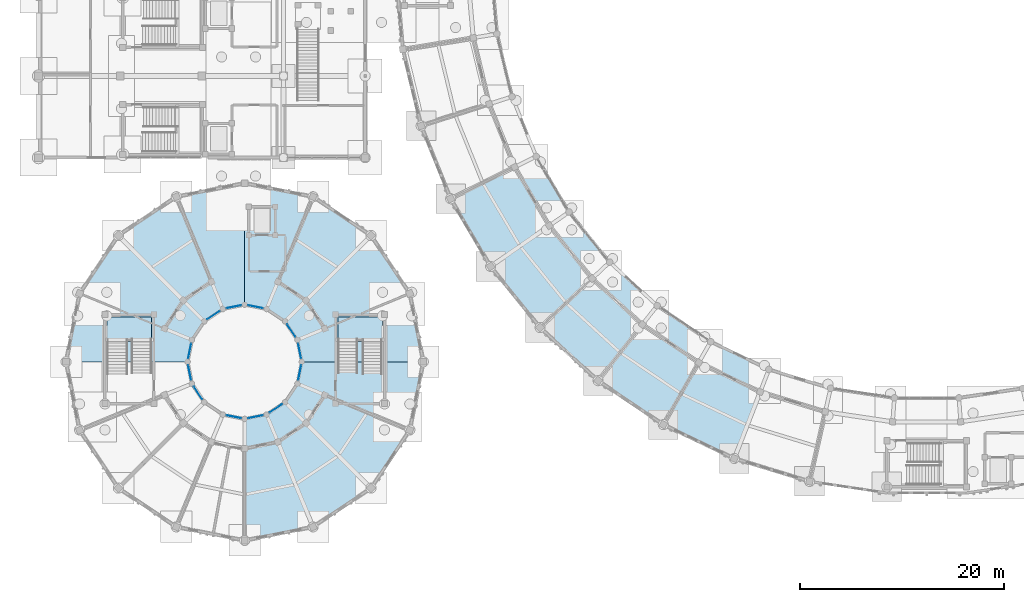
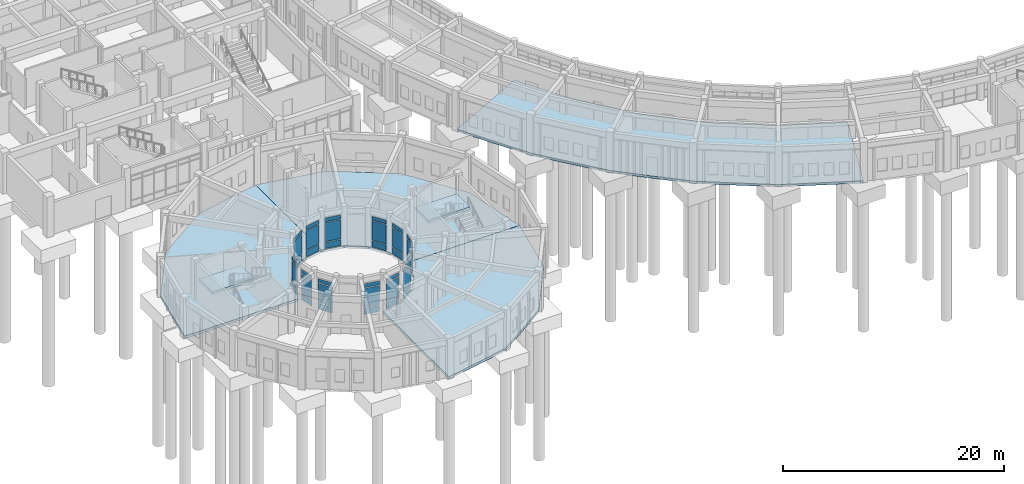
# One storey, part 102 of 153: 36 plates, 6 slabs, 14 elements without a shape of their own.
"""IFC4 building model written with IfcOpenShell, lengths in metres."""

from ifc_helpers import new_model, si_unit, direction, frame, origin, origin_2d, place, context, subcontext, project, spatial, polyline, rectangle, outline, extrude, material, layer, layer_set, type_object, element, aggregate, save


model = new_model("IFC4")

# Units and contexts
model_context = context("Model", 3, precision=1e-05, world=origin(), true_north=direction((0.0, 1.0)))
body_context = subcontext(model_context, "Body", "Model", "MODEL_VIEW")
ifc_project = project(units=[si_unit("LENGTHUNIT", "METRE"), si_unit("AREAUNIT", "SQUARE_METRE"), si_unit("VOLUMEUNIT", "CUBIC_METRE"), si_unit("PLANEANGLEUNIT", "RADIAN"), si_unit("MASSUNIT", "GRAM", prefix="KILO")], contexts=[model_context])

# Site, building, storey
site_placement = place(None, origin())
site = spatial("IfcSite", under=ifc_project, at=site_placement, CompositionType="ELEMENT")
building_placement = place(site_placement, origin())
building = spatial("IfcBuilding", under=site, at=building_placement, Name="Celadon Cloister-Ring School", CompositionType="ELEMENT")
storey_placement = place(building_placement, origin())
storey = spatial("IfcBuildingStorey", under=building, at=storey_placement, Name="L00", CompositionType="ELEMENT", Elevation=0.0)

# Curtain wall, plates
ifc_material_1 = material(Name="Aluminium EN AW-6063 T6", Category="aluminium")
curtain_wall_type = type_object("IfcCurtainWallType", Name="CW-03", PredefinedType="USERDEFINED", material=ifc_material_1)
curtain_wall_1_placement = place(storey_placement, origin())
curtain_wall_1 = element("IfcCurtainWall", 1, at=curtain_wall_1_placement, inside=storey, type_object=curtain_wall_type, Name="Curtain Wall 0127", ObjectType="CURTAIN WALL", PredefinedType="USERDEFINED")
ifc_material_2 = material(Name="Tempered laminated insulating glass", Category="glass")
ifc_layer_1 = layer(ifc_material_2, 0.02001953125)
ifc_layer_set_1 = layer_set([ifc_layer_1], Name="Tempered laminated insulating glass")
plate_type = type_object("IfcPlateType", Name="CPN-01", PredefinedType="CURTAIN_PANEL", material=ifc_layer_set_1)
plate_1_placement = place(storey_placement, frame((25.5869140625, 21.071533203125, 0.090087890625), z_axis=(0.0, 0.0, 1.0), x_axis=(-0.194586131301, 0.980885435464, 0.0)))
plate_1 = element("IfcPlate", 2, at=plate_1_placement, type_object=plate_type, Name="CW-03 panel 1.1", PredefinedType="CURTAIN_PANEL", context=body_context, shape_type="SweptSolid", body=[
    extrude(rectangle(XDim=1.4443359375, YDim=0.02001953125, at=origin_2d()), origin(), (0.0, 0.0, 1.0), 0.6650390625),
])
plate_2_placement = place(storey_placement, frame((25.5869140625, 21.071533203125, 0.8447265625), z_axis=(0.0, 0.0, 1.0), x_axis=(-0.194586131301, 0.980885435464, 0.0)))
plate_2 = element("IfcPlate", 3, at=plate_2_placement, type_object=plate_type, Name="CW-03 panel 1.2", PredefinedType="CURTAIN_PANEL", context=body_context, shape_type="SweptSolid", body=[
    extrude(rectangle(XDim=1.4443359375, YDim=0.02001953125, at=origin_2d()), origin(), (0.0, 0.0, 1.0), 2.110107421875),
])
plate_3_placement = place(storey_placement, frame((25.5869140625, 21.071533203125, 3.044921875), z_axis=(0.0, 0.0, 1.0), x_axis=(-0.194586131301, 0.980885435464, 0.0)))
plate_3 = element("IfcPlate", 4, at=plate_3_placement, type_object=plate_type, Name="CW-03 panel 1.3", PredefinedType="CURTAIN_PANEL", context=body_context, shape_type="SweptSolid", body=[
    extrude(rectangle(XDim=1.4443359375, YDim=0.02001953125, at=origin_2d()), origin(), (0.0, 0.0, 1.0), 0.4150390625),
])
aggregate(curtain_wall_1, [plate_1, plate_2, plate_3])

curtain_wall_2_placement = place(storey_placement, origin())
curtain_wall_2 = element("IfcCurtainWall", 5, at=curtain_wall_2_placement, inside=storey, type_object=curtain_wall_type, Name="Curtain Wall 0128", ObjectType="CURTAIN WALL", PredefinedType="USERDEFINED")
plate_4_placement = place(storey_placement, frame((24.76708984375, 23.051513671875, 0.090087890625), z_axis=(0.0, 0.0, 1.0), x_axis=(-0.555547066224, 0.831485091394, 0.0)))
plate_4 = element("IfcPlate", 6, at=plate_4_placement, type_object=plate_type, Name="CW-03 panel 1.1", PredefinedType="CURTAIN_PANEL", context=body_context, shape_type="SweptSolid", body=[
    extrude(rectangle(XDim=1.4443359375, YDim=0.02001953125, at=origin_2d()), origin(), (0.0, 0.0, 1.0), 0.6650390625),
])
plate_5_placement = place(storey_placement, frame((24.76708984375, 23.051513671875, 0.8447265625), z_axis=(0.0, 0.0, 1.0), x_axis=(-0.555547066224, 0.831485091394, 0.0)))
plate_5 = element("IfcPlate", 7, at=plate_5_placement, type_object=plate_type, Name="CW-03 panel 1.2", PredefinedType="CURTAIN_PANEL", context=body_context, shape_type="SweptSolid", body=[
    extrude(rectangle(XDim=1.4443359375, YDim=0.02001953125, at=origin_2d()), origin(), (0.0, 0.0, 1.0), 2.110107421875),
])
plate_6_placement = place(storey_placement, frame((24.76708984375, 23.051513671875, 3.044921875), z_axis=(0.0, 0.0, 1.0), x_axis=(-0.555547066224, 0.831485091394, 0.0)))
plate_6 = element("IfcPlate", 8, at=plate_6_placement, type_object=plate_type, Name="CW-03 panel 1.3", PredefinedType="CURTAIN_PANEL", context=body_context, shape_type="SweptSolid", body=[
    extrude(rectangle(XDim=1.4443359375, YDim=0.02001953125, at=origin_2d()), origin(), (0.0, 0.0, 1.0), 0.4150390625),
])
aggregate(curtain_wall_2, [plate_4, plate_5, plate_6])

curtain_wall_3_placement = place(storey_placement, origin())
curtain_wall_3 = element("IfcCurtainWall", 9, at=curtain_wall_3_placement, inside=storey, type_object=curtain_wall_type, Name="Curtain Wall 0129", ObjectType="CURTAIN WALL", PredefinedType="USERDEFINED")
plate_7_placement = place(storey_placement, frame((21.271484375, 25.386962890625, 0.090087890625), z_axis=(0.0, 0.0, 1.0), x_axis=(-0.980885435464, 0.194586131301, 0.0)))
plate_7 = element("IfcPlate", 10, at=plate_7_placement, type_object=plate_type, Name="CW-03 panel 1.1", PredefinedType="CURTAIN_PANEL", context=body_context, shape_type="SweptSolid", body=[
    extrude(rectangle(XDim=1.4443359375, YDim=0.02001953125, at=origin_2d()), origin(), (0.0, 0.0, 1.0), 0.6650390625),
])
plate_8_placement = place(storey_placement, frame((21.271484375, 25.386962890625, 0.8447265625), z_axis=(0.0, 0.0, 1.0), x_axis=(-0.980885435464, 0.194586131301, 0.0)))
plate_8 = element("IfcPlate", 11, at=plate_8_placement, type_object=plate_type, Name="CW-03 panel 1.2", PredefinedType="CURTAIN_PANEL", context=body_context, shape_type="SweptSolid", body=[
    extrude(rectangle(XDim=1.4443359375, YDim=0.02001953125, at=origin_2d()), origin(), (0.0, 0.0, 1.0), 2.110107421875),
])
plate_9_placement = place(storey_placement, frame((21.271484375, 25.386962890625, 3.044921875), z_axis=(0.0, 0.0, 1.0), x_axis=(-0.980885435464, 0.194586131301, 0.0)))
plate_9 = element("IfcPlate", 12, at=plate_9_placement, type_object=plate_type, Name="CW-03 panel 1.3", PredefinedType="CURTAIN_PANEL", context=body_context, shape_type="SweptSolid", body=[
    extrude(rectangle(XDim=1.4443359375, YDim=0.02001953125, at=origin_2d()), origin(), (0.0, 0.0, 1.0), 0.4150390625),
])
aggregate(curtain_wall_3, [plate_7, plate_8, plate_9])

curtain_wall_4_placement = place(storey_placement, origin())
curtain_wall_4 = element("IfcCurtainWall", 13, at=curtain_wall_4_placement, inside=storey, type_object=curtain_wall_type, Name="Curtain Wall 0130", ObjectType="CURTAIN WALL", PredefinedType="USERDEFINED")
plate_10_placement = place(storey_placement, frame((19.12841796875, 25.386962890625, 0.090087890625), z_axis=(0.0, 0.0, 1.0), x_axis=(-0.980885435464, -0.194586131301, 0.0)))
plate_10 = element("IfcPlate", 14, at=plate_10_placement, type_object=plate_type, Name="CW-03 panel 1.1", PredefinedType="CURTAIN_PANEL", context=body_context, shape_type="SweptSolid", body=[
    extrude(rectangle(XDim=1.4443359375, YDim=0.02001953125, at=origin_2d()), origin(), (0.0, 0.0, 1.0), 0.6650390625),
])
plate_11_placement = place(storey_placement, frame((19.12841796875, 25.386962890625, 0.8447265625), z_axis=(0.0, 0.0, 1.0), x_axis=(-0.980885435464, -0.194586131301, 0.0)))
plate_11 = element("IfcPlate", 15, at=plate_11_placement, type_object=plate_type, Name="CW-03 panel 1.2", PredefinedType="CURTAIN_PANEL", context=body_context, shape_type="SweptSolid", body=[
    extrude(rectangle(XDim=1.4443359375, YDim=0.02001953125, at=origin_2d()), origin(), (0.0, 0.0, 1.0), 2.110107421875),
])
plate_12_placement = place(storey_placement, frame((19.12841796875, 25.386962890625, 3.044921875), z_axis=(0.0, 0.0, 1.0), x_axis=(-0.980885435464, -0.194586131301, 0.0)))
plate_12 = element("IfcPlate", 16, at=plate_12_placement, type_object=plate_type, Name="CW-03 panel 1.3", PredefinedType="CURTAIN_PANEL", context=body_context, shape_type="SweptSolid", body=[
    extrude(rectangle(XDim=1.4443359375, YDim=0.02001953125, at=origin_2d()), origin(), (0.0, 0.0, 1.0), 0.4150390625),
])
aggregate(curtain_wall_4, [plate_10, plate_11, plate_12])

curtain_wall_5_placement = place(storey_placement, origin())
curtain_wall_5 = element("IfcCurtainWall", 17, at=curtain_wall_5_placement, inside=storey, type_object=curtain_wall_type, Name="Curtain Wall 0131", ObjectType="CURTAIN WALL", PredefinedType="USERDEFINED")
plate_13_placement = place(storey_placement, frame((17.1484375, 24.56689453125, 0.090087890625), z_axis=(0.0, 0.0, 1.0), x_axis=(-0.831485091394, -0.555547066224, 0.0)))
plate_13 = element("IfcPlate", 18, at=plate_13_placement, type_object=plate_type, Name="CW-03 panel 1.1", PredefinedType="CURTAIN_PANEL", context=body_context, shape_type="SweptSolid", body=[
    extrude(rectangle(XDim=1.4443359375, YDim=0.02001953125, at=origin_2d()), origin(), (0.0, 0.0, 1.0), 0.6650390625),
])
plate_14_placement = place(storey_placement, frame((17.1484375, 24.56689453125, 0.8447265625), z_axis=(0.0, 0.0, 1.0), x_axis=(-0.831485091394, -0.555547066224, 0.0)))
plate_14 = element("IfcPlate", 19, at=plate_14_placement, type_object=plate_type, Name="CW-03 panel 1.2", PredefinedType="CURTAIN_PANEL", context=body_context, shape_type="SweptSolid", body=[
    extrude(rectangle(XDim=1.4443359375, YDim=0.02001953125, at=origin_2d()), origin(), (0.0, 0.0, 1.0), 2.110107421875),
])
plate_15_placement = place(storey_placement, frame((17.1484375, 24.56689453125, 3.044921875), z_axis=(0.0, 0.0, 1.0), x_axis=(-0.831485091394, -0.555547066224, 0.0)))
plate_15 = element("IfcPlate", 20, at=plate_15_placement, type_object=plate_type, Name="CW-03 panel 1.3", PredefinedType="CURTAIN_PANEL", context=body_context, shape_type="SweptSolid", body=[
    extrude(rectangle(XDim=1.4443359375, YDim=0.02001953125, at=origin_2d()), origin(), (0.0, 0.0, 1.0), 0.4150390625),
])
aggregate(curtain_wall_5, [plate_13, plate_14, plate_15])

curtain_wall_6_placement = place(storey_placement, origin())
curtain_wall_6 = element("IfcCurtainWall", 21, at=curtain_wall_6_placement, inside=storey, type_object=curtain_wall_type, Name="Curtain Wall 0132", ObjectType="CURTAIN WALL", PredefinedType="USERDEFINED")
plate_16_placement = place(storey_placement, frame((14.81298828125, 21.071533203125, 0.090087890625), z_axis=(0.0, 0.0, 1.0), x_axis=(-0.194586131301, -0.980885435464, 0.0)))
plate_16 = element("IfcPlate", 22, at=plate_16_placement, type_object=plate_type, Name="CW-03 panel 1.1", PredefinedType="CURTAIN_PANEL", context=body_context, shape_type="SweptSolid", body=[
    extrude(rectangle(XDim=1.4443359375, YDim=0.02001953125, at=origin_2d()), origin(), (0.0, 0.0, 1.0), 0.6650390625),
])
plate_17_placement = place(storey_placement, frame((14.81298828125, 21.071533203125, 0.8447265625), z_axis=(0.0, 0.0, 1.0), x_axis=(-0.194586131301, -0.980885435464, 0.0)))
plate_17 = element("IfcPlate", 23, at=plate_17_placement, type_object=plate_type, Name="CW-03 panel 1.2", PredefinedType="CURTAIN_PANEL", context=body_context, shape_type="SweptSolid", body=[
    extrude(rectangle(XDim=1.4443359375, YDim=0.02001953125, at=origin_2d()), origin(), (0.0, 0.0, 1.0), 2.110107421875),
])
plate_18_placement = place(storey_placement, frame((14.81298828125, 21.071533203125, 3.044921875), z_axis=(0.0, 0.0, 1.0), x_axis=(-0.194586131301, -0.980885435464, 0.0)))
plate_18 = element("IfcPlate", 24, at=plate_18_placement, type_object=plate_type, Name="CW-03 panel 1.3", PredefinedType="CURTAIN_PANEL", context=body_context, shape_type="SweptSolid", body=[
    extrude(rectangle(XDim=1.4443359375, YDim=0.02001953125, at=origin_2d()), origin(), (0.0, 0.0, 1.0), 0.4150390625),
])
aggregate(curtain_wall_6, [plate_16, plate_17, plate_18])

curtain_wall_7_placement = place(storey_placement, origin())
curtain_wall_7 = element("IfcCurtainWall", 25, at=curtain_wall_7_placement, inside=storey, type_object=curtain_wall_type, Name="Curtain Wall 0133", ObjectType="CURTAIN WALL", PredefinedType="USERDEFINED")
plate_19_placement = place(storey_placement, frame((14.81298828125, 18.928466796875, 0.090087890625), z_axis=(0.0, 0.0, 1.0), x_axis=(0.194586131301, -0.980885435464, 0.0)))
plate_19 = element("IfcPlate", 26, at=plate_19_placement, type_object=plate_type, Name="CW-03 panel 1.1", PredefinedType="CURTAIN_PANEL", context=body_context, shape_type="SweptSolid", body=[
    extrude(rectangle(XDim=1.4443359375, YDim=0.02001953125, at=origin_2d()), origin(), (0.0, 0.0, 1.0), 0.6650390625),
])
plate_20_placement = place(storey_placement, frame((14.81298828125, 18.928466796875, 0.8447265625), z_axis=(0.0, 0.0, 1.0), x_axis=(0.194586131301, -0.980885435464, 0.0)))
plate_20 = element("IfcPlate", 27, at=plate_20_placement, type_object=plate_type, Name="CW-03 panel 1.2", PredefinedType="CURTAIN_PANEL", context=body_context, shape_type="SweptSolid", body=[
    extrude(rectangle(XDim=1.4443359375, YDim=0.02001953125, at=origin_2d()), origin(), (0.0, 0.0, 1.0), 2.110107421875),
])
plate_21_placement = place(storey_placement, frame((14.81298828125, 18.928466796875, 3.044921875), z_axis=(0.0, 0.0, 1.0), x_axis=(0.194586131301, -0.980885435464, 0.0)))
plate_21 = element("IfcPlate", 28, at=plate_21_placement, type_object=plate_type, Name="CW-03 panel 1.3", PredefinedType="CURTAIN_PANEL", context=body_context, shape_type="SweptSolid", body=[
    extrude(rectangle(XDim=1.4443359375, YDim=0.02001953125, at=origin_2d()), origin(), (0.0, 0.0, 1.0), 0.4150390625),
])
aggregate(curtain_wall_7, [plate_19, plate_20, plate_21])

curtain_wall_8_placement = place(storey_placement, origin())
curtain_wall_8 = element("IfcCurtainWall", 29, at=curtain_wall_8_placement, inside=storey, type_object=curtain_wall_type, Name="Curtain Wall 0134", ObjectType="CURTAIN WALL", PredefinedType="USERDEFINED")
plate_22_placement = place(storey_placement, frame((15.633056640625, 16.948486328125, 0.090087890625), z_axis=(0.0, 0.0, 1.0), x_axis=(0.555547066224, -0.831485091394, 0.0)))
plate_22 = element("IfcPlate", 30, at=plate_22_placement, type_object=plate_type, Name="CW-03 panel 1.1", PredefinedType="CURTAIN_PANEL", context=body_context, shape_type="SweptSolid", body=[
    extrude(rectangle(XDim=1.4443359375, YDim=0.02001953125, at=origin_2d()), origin(), (0.0, 0.0, 1.0), 0.6650390625),
])
plate_23_placement = place(storey_placement, frame((15.633056640625, 16.948486328125, 0.8447265625), z_axis=(0.0, 0.0, 1.0), x_axis=(0.555547066224, -0.831485091394, 0.0)))
plate_23 = element("IfcPlate", 31, at=plate_23_placement, type_object=plate_type, Name="CW-03 panel 1.2", PredefinedType="CURTAIN_PANEL", context=body_context, shape_type="SweptSolid", body=[
    extrude(rectangle(XDim=1.4443359375, YDim=0.02001953125, at=origin_2d()), origin(), (0.0, 0.0, 1.0), 2.110107421875),
])
plate_24_placement = place(storey_placement, frame((15.633056640625, 16.948486328125, 3.044921875), z_axis=(0.0, 0.0, 1.0), x_axis=(0.555547066224, -0.831485091394, 0.0)))
plate_24 = element("IfcPlate", 32, at=plate_24_placement, type_object=plate_type, Name="CW-03 panel 1.3", PredefinedType="CURTAIN_PANEL", context=body_context, shape_type="SweptSolid", body=[
    extrude(rectangle(XDim=1.4443359375, YDim=0.02001953125, at=origin_2d()), origin(), (0.0, 0.0, 1.0), 0.4150390625),
])
aggregate(curtain_wall_8, [plate_22, plate_23, plate_24])

curtain_wall_9_placement = place(storey_placement, origin())
curtain_wall_9 = element("IfcCurtainWall", 33, at=curtain_wall_9_placement, inside=storey, type_object=curtain_wall_type, Name="Curtain Wall 0135", ObjectType="CURTAIN WALL", PredefinedType="USERDEFINED")
plate_25_placement = place(storey_placement, frame((19.12841796875, 14.613037109375, 0.090087890625), z_axis=(0.0, 0.0, 1.0), x_axis=(0.980885435464, -0.194586131301, 0.0)))
plate_25 = element("IfcPlate", 34, at=plate_25_placement, type_object=plate_type, Name="CW-03 panel 1.1", PredefinedType="CURTAIN_PANEL", context=body_context, shape_type="SweptSolid", body=[
    extrude(rectangle(XDim=1.4443359375, YDim=0.02001953125, at=origin_2d()), origin(), (0.0, 0.0, 1.0), 0.6650390625),
])
plate_26_placement = place(storey_placement, frame((19.12841796875, 14.613037109375, 0.8447265625), z_axis=(0.0, 0.0, 1.0), x_axis=(0.980885435464, -0.194586131301, 0.0)))
plate_26 = element("IfcPlate", 35, at=plate_26_placement, type_object=plate_type, Name="CW-03 panel 1.2", PredefinedType="CURTAIN_PANEL", context=body_context, shape_type="SweptSolid", body=[
    extrude(rectangle(XDim=1.4443359375, YDim=0.02001953125, at=origin_2d()), origin(), (0.0, 0.0, 1.0), 2.110107421875),
])
plate_27_placement = place(storey_placement, frame((19.12841796875, 14.613037109375, 3.044921875), z_axis=(0.0, 0.0, 1.0), x_axis=(0.980885435464, -0.194586131301, 0.0)))
plate_27 = element("IfcPlate", 36, at=plate_27_placement, type_object=plate_type, Name="CW-03 panel 1.3", PredefinedType="CURTAIN_PANEL", context=body_context, shape_type="SweptSolid", body=[
    extrude(rectangle(XDim=1.4443359375, YDim=0.02001953125, at=origin_2d()), origin(), (0.0, 0.0, 1.0), 0.4150390625),
])
aggregate(curtain_wall_9, [plate_25, plate_26, plate_27])

curtain_wall_10_placement = place(storey_placement, origin())
curtain_wall_10 = element("IfcCurtainWall", 37, at=curtain_wall_10_placement, inside=storey, type_object=curtain_wall_type, Name="Curtain Wall 0136", ObjectType="CURTAIN WALL", PredefinedType="USERDEFINED")
plate_28_placement = place(storey_placement, frame((21.271484375, 14.613037109375, 0.090087890625), z_axis=(0.0, 0.0, 1.0), x_axis=(0.980885435464, 0.194586131301, 0.0)))
plate_28 = element("IfcPlate", 38, at=plate_28_placement, type_object=plate_type, Name="CW-03 panel 1.1", PredefinedType="CURTAIN_PANEL", context=body_context, shape_type="SweptSolid", body=[
    extrude(rectangle(XDim=1.4443359375, YDim=0.02001953125, at=origin_2d()), origin(), (0.0, 0.0, 1.0), 0.6650390625),
])
plate_29_placement = place(storey_placement, frame((21.271484375, 14.613037109375, 0.8447265625), z_axis=(0.0, 0.0, 1.0), x_axis=(0.980885435464, 0.194586131301, 0.0)))
plate_29 = element("IfcPlate", 39, at=plate_29_placement, type_object=plate_type, Name="CW-03 panel 1.2", PredefinedType="CURTAIN_PANEL", context=body_context, shape_type="SweptSolid", body=[
    extrude(rectangle(XDim=1.4443359375, YDim=0.02001953125, at=origin_2d()), origin(), (0.0, 0.0, 1.0), 2.110107421875),
])
plate_30_placement = place(storey_placement, frame((21.271484375, 14.613037109375, 3.044921875), z_axis=(0.0, 0.0, 1.0), x_axis=(0.980885435464, 0.194586131301, 0.0)))
plate_30 = element("IfcPlate", 40, at=plate_30_placement, type_object=plate_type, Name="CW-03 panel 1.3", PredefinedType="CURTAIN_PANEL", context=body_context, shape_type="SweptSolid", body=[
    extrude(rectangle(XDim=1.4443359375, YDim=0.02001953125, at=origin_2d()), origin(), (0.0, 0.0, 1.0), 0.4150390625),
])
aggregate(curtain_wall_10, [plate_28, plate_29, plate_30])

curtain_wall_11_placement = place(storey_placement, origin())
curtain_wall_11 = element("IfcCurtainWall", 41, at=curtain_wall_11_placement, inside=storey, type_object=curtain_wall_type, Name="Curtain Wall 0137", ObjectType="CURTAIN WALL", PredefinedType="USERDEFINED")
plate_31_placement = place(storey_placement, frame((23.25146484375, 15.43310546875, 0.090087890625), z_axis=(0.0, 0.0, 1.0), x_axis=(0.831485091394, 0.555547066224, 0.0)))
plate_31 = element("IfcPlate", 42, at=plate_31_placement, type_object=plate_type, Name="CW-03 panel 1.1", PredefinedType="CURTAIN_PANEL", context=body_context, shape_type="SweptSolid", body=[
    extrude(rectangle(XDim=1.4443359375, YDim=0.02001953125, at=origin_2d()), origin(), (0.0, 0.0, 1.0), 0.6650390625),
])
plate_32_placement = place(storey_placement, frame((23.25146484375, 15.43310546875, 0.8447265625), z_axis=(0.0, 0.0, 1.0), x_axis=(0.831485091394, 0.555547066224, 0.0)))
plate_32 = element("IfcPlate", 43, at=plate_32_placement, type_object=plate_type, Name="CW-03 panel 1.2", PredefinedType="CURTAIN_PANEL", context=body_context, shape_type="SweptSolid", body=[
    extrude(rectangle(XDim=1.4443359375, YDim=0.02001953125, at=origin_2d()), origin(), (0.0, 0.0, 1.0), 2.110107421875),
])
plate_33_placement = place(storey_placement, frame((23.25146484375, 15.43310546875, 3.044921875), z_axis=(0.0, 0.0, 1.0), x_axis=(0.831485091394, 0.555547066224, 0.0)))
plate_33 = element("IfcPlate", 44, at=plate_33_placement, type_object=plate_type, Name="CW-03 panel 1.3", PredefinedType="CURTAIN_PANEL", context=body_context, shape_type="SweptSolid", body=[
    extrude(rectangle(XDim=1.4443359375, YDim=0.02001953125, at=origin_2d()), origin(), (0.0, 0.0, 1.0), 0.4150390625),
])
aggregate(curtain_wall_11, [plate_31, plate_32, plate_33])

curtain_wall_12_placement = place(storey_placement, origin())
curtain_wall_12 = element("IfcCurtainWall", 45, at=curtain_wall_12_placement, inside=storey, type_object=curtain_wall_type, Name="Curtain Wall 0138", ObjectType="CURTAIN WALL", PredefinedType="USERDEFINED")
plate_34_placement = place(storey_placement, frame((25.5869140625, 18.928466796875, 0.090087890625), z_axis=(0.0, 0.0, 1.0), x_axis=(0.194586131301, 0.980885435464, 0.0)))
plate_34 = element("IfcPlate", 46, at=plate_34_placement, type_object=plate_type, Name="CW-03 panel 1.1", PredefinedType="CURTAIN_PANEL", context=body_context, shape_type="SweptSolid", body=[
    extrude(rectangle(XDim=1.4443359375, YDim=0.02001953125, at=origin_2d()), origin(), (0.0, 0.0, 1.0), 0.6650390625),
])
plate_35_placement = place(storey_placement, frame((25.5869140625, 18.928466796875, 0.8447265625), z_axis=(0.0, 0.0, 1.0), x_axis=(0.194586131301, 0.980885435464, 0.0)))
plate_35 = element("IfcPlate", 47, at=plate_35_placement, type_object=plate_type, Name="CW-03 panel 1.2", PredefinedType="CURTAIN_PANEL", context=body_context, shape_type="SweptSolid", body=[
    extrude(rectangle(XDim=1.4443359375, YDim=0.02001953125, at=origin_2d()), origin(), (0.0, 0.0, 1.0), 2.110107421875),
])
plate_36_placement = place(storey_placement, frame((25.5869140625, 18.928466796875, 3.044921875), z_axis=(0.0, 0.0, 1.0), x_axis=(0.194586131301, 0.980885435464, 0.0)))
plate_36 = element("IfcPlate", 48, at=plate_36_placement, type_object=plate_type, Name="CW-03 panel 1.3", PredefinedType="CURTAIN_PANEL", context=body_context, shape_type="SweptSolid", body=[
    extrude(rectangle(XDim=1.4443359375, YDim=0.02001953125, at=origin_2d()), origin(), (0.0, 0.0, 1.0), 0.4150390625),
])
aggregate(curtain_wall_12, [plate_34, plate_35, plate_36])

# Slabs
ifc_material_3 = material(Name="Concrete C35/45", Category="concrete")
ifc_layer_2 = layer(ifc_material_3, 0.260009765625)
ifc_layer_set_2 = layer_set([ifc_layer_2], Name="Concrete C35/45")
slab_type_1 = type_object("IfcSlabType", Name="SL-BS1", PredefinedType="BASESLAB", material=ifc_layer_set_2)
slab_1_placement = place(storey_placement, frame((0.0, 0.0, -0.260009765625)))
element("IfcSlab", 49, at=slab_1_placement, inside=storey, type_object=slab_type_1, Name="Ring L00 Sector 0003", PredefinedType="BASESLAB", context=body_context, shape_type="SweptSolid", body=[
    extrude(outline(polyline([(40.375, 35.97705078125), (44.2880859375, 29.341064453125), (49.137939453125, 23.35595703125), (54.820068359375, 18.153076171875), (61.2080078125, 13.846923828125), (68.162109375, 10.531982421875), (71.549072265625, 19.2470703125), (65.844970703125, 21.966064453125), (60.60595703125, 25.498046875), (55.946044921875, 29.764892578125), (51.968017578125, 34.674072265625), (48.758056640625, 40.115966796875), (40.375, 35.97705078125)])), origin(), (0.0, 0.0, 1.0), 0.260009765625),
])
ifc_material_4 = material(Name="Concrete C35/45", Category="concrete")
ifc_layer_3 = layer(ifc_material_4, 0.280029296875)
ifc_layer_set_3 = layer_set([ifc_layer_3], Name="Concrete C35/45")
slab_type_2 = type_object("IfcSlabType", Name="SL-BS2", PredefinedType="BASESLAB", material=ifc_layer_set_3)
slab_2_placement = place(storey_placement, frame((0.0, 0.0, -0.280029296875)))
element("IfcSlab", 50, at=slab_2_placement, inside=storey, type_object=slab_type_2, Name="V5a Ring L00 Sector 0045", PredefinedType="BASESLAB", context=body_context, shape_type="SweptSolid", body=[
    extrude(outline(polyline([(37.699951171875, 20.0), (36.367919921875, 26.697021484375), (32.573974609375, 32.3740234375), (26.89697265625, 36.16796875), (20.199951171875, 37.5), (20.199951171875, 25.60009765625), (22.343017578125, 25.174072265625), (24.159912109375, 23.9599609375), (25.3740234375, 22.14306640625), (25.800048828125, 20.0), (37.699951171875, 20.0)])), origin(), (0.0, 0.0, 1.0), 0.280029296875),
])
slab_3_placement = place(storey_placement, frame((0.0, 0.0, -0.280029296875)))
element("IfcSlab", 51, at=slab_3_placement, inside=storey, type_object=slab_type_2, Name="V5a Ring L00 Sector 0046", PredefinedType="BASESLAB", context=body_context, shape_type="SweptSolid", body=[
    extrude(outline(polyline([(20.199951171875, 37.5), (13.5029296875, 36.16796875), (7.825927734375, 32.3740234375), (4.031982421875, 26.697021484375), (2.699951171875, 20.0), (14.60009765625, 20.0), (15.02587890625, 22.14306640625), (16.239990234375, 23.9599609375), (18.056884765625, 25.174072265625), (20.199951171875, 25.60009765625), (20.199951171875, 37.5)])), origin(), (0.0, 0.0, 1.0), 0.280029296875),
])
slab_4_placement = place(storey_placement, frame((0.0, 0.0, -0.280029296875)))
element("IfcSlab", 52, at=slab_4_placement, inside=storey, type_object=slab_type_2, Name="V5a Ring L00 Sector 0048", PredefinedType="BASESLAB", context=body_context, shape_type="SweptSolid", body=[
    extrude(outline(polyline([(20.199951171875, 2.5), (26.89697265625, 3.83203125), (32.573974609375, 7.6259765625), (36.367919921875, 13.302978515625), (37.699951171875, 20.0), (25.800048828125, 20.0), (25.3740234375, 17.85693359375), (24.159912109375, 16.0400390625), (22.343017578125, 14.825927734375), (20.199951171875, 14.39990234375), (20.199951171875, 2.5)])), origin(), (0.0, 0.0, 1.0), 0.280029296875),
])

# Stair, slab
ifc_material_5 = material(Name="Concrete C35/45", Category="concrete")
stair_type_1 = type_object("IfcStairType", Name="ST-01", PredefinedType="HALF_TURN_STAIR", material=ifc_material_5)
stair_1_placement = place(storey_placement, origin())
stair_1 = element("IfcStair", 53, at=stair_1_placement, inside=storey, type_object=stair_type_1, Name="Exit Stair ST-V5L1 L00", PredefinedType="HALF_TURN_STAIR")
ifc_material_6 = material(Name="Concrete C35/45", Category="concrete")
ifc_layer_4 = layer(ifc_material_6, 0.280029296875)
ifc_layer_set_4 = layer_set([ifc_layer_4], Name="Concrete C35/45")
slab_type_3 = type_object("IfcSlabType", Name="SL-LD1", PredefinedType="LANDING", material=ifc_layer_set_4)
slab_5_placement = place(storey_placement, frame((0.0, 0.0, 1.969970703125)))
slab_5 = element("IfcSlab", 54, at=slab_5_placement, type_object=slab_type_3, Name="ST-01 landing 1", PredefinedType="LANDING", context=body_context, shape_type="SweptSolid", body=[
    extrude(outline(polyline([(6.719970703125, 21.9951171875), (11.080078125, 21.9951171875), (11.080078125, 24.39990234375), (6.719970703125, 24.39990234375), (6.719970703125, 21.9951171875)])), origin(), (0.0, 0.0, 1.0), 0.280029296875),
])
aggregate(stair_1, [slab_5])

ifc_material_7 = material(Name="Concrete C35/45", Category="concrete")
stair_type_2 = type_object("IfcStairType", Name="ST-03", PredefinedType="HALF_TURN_STAIR", material=ifc_material_7)
stair_2_placement = place(storey_placement, origin())
stair_2 = element("IfcStair", 55, at=stair_2_placement, inside=storey, type_object=stair_type_2, Name="Exit Stair ST-V5L2 L00", PredefinedType="HALF_TURN_STAIR")
ifc_material_8 = material(Name="Concrete C35/45", Category="concrete")
ifc_layer_5 = layer(ifc_material_8, 0.300048828125)
ifc_layer_set_5 = layer_set([ifc_layer_5], Name="Concrete C35/45")
slab_type_4 = type_object("IfcSlabType", Name="SL-LD2", PredefinedType="LANDING", material=ifc_layer_set_5)
slab_6_placement = place(storey_placement, frame((0.0, 0.0, 1.949951171875)))
slab_6 = element("IfcSlab", 56, at=slab_6_placement, type_object=slab_type_4, Name="ST-03 landing 1", PredefinedType="LANDING", context=body_context, shape_type="SweptSolid", body=[
    extrude(outline(polyline([(29.320068359375, 21.9951171875), (33.679931640625, 21.9951171875), (33.679931640625, 24.39990234375), (29.320068359375, 24.39990234375), (29.320068359375, 21.9951171875)])), origin(), (0.0, 0.0, 1.0), 0.300048828125),
])
aggregate(stair_2, [slab_6])

save(model, "model.ifc")
